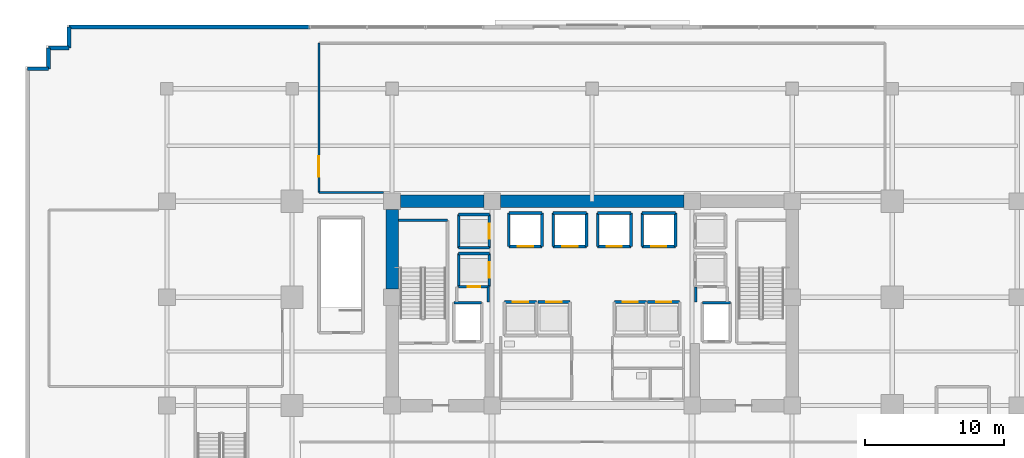
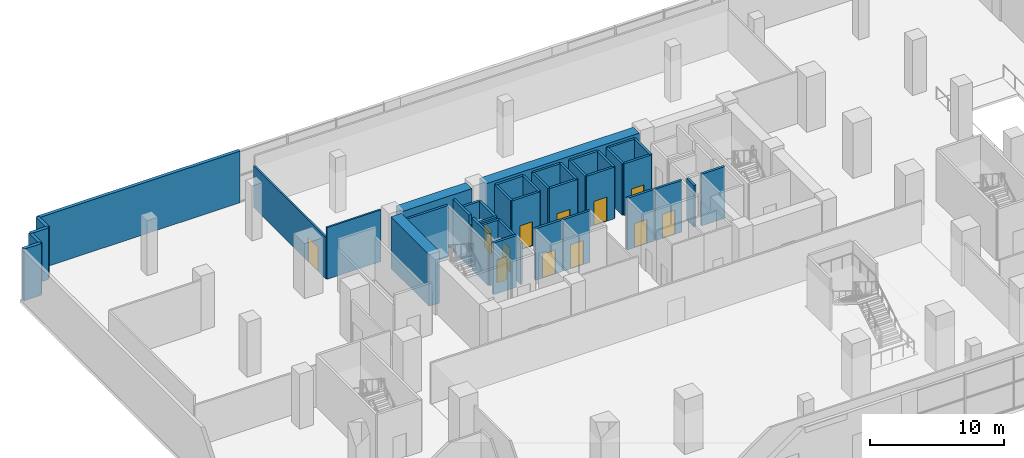
# One storey, part 15 of 27: 43 walls, 12 doors, 12 openings.
"""IFC4 building model written with IfcOpenShell, lengths in metres."""

from ifc_helpers import new_model, si_unit, direction, frame, frame_2d, origin, place, context, subcontext, project, spatial, rectangle, extrude, source, transform, mapped, material, layer, layer_set, type_object, element, fill, save


model = new_model("IFC4")

# Units and contexts
model_context = context("Model", 3, precision=1e-05, world=origin(), true_north=direction((0.0, 1.0)))
body_context = subcontext(model_context, "Body", "Model", "MODEL_VIEW")
ifc_project = project(units=[si_unit("LENGTHUNIT", "METRE"), si_unit("AREAUNIT", "SQUARE_METRE"), si_unit("VOLUMEUNIT", "CUBIC_METRE"), si_unit("PLANEANGLEUNIT", "RADIAN"), si_unit("MASSUNIT", "GRAM", prefix="KILO")], contexts=[model_context])

# Site, building, storey
site_placement = place(None, origin())
site = spatial("IfcSite", under=ifc_project, at=site_placement, CompositionType="ELEMENT")
building_placement = place(site_placement, origin())
building = spatial("IfcBuilding", under=site, at=building_placement, Name="Zarnakvel Exchange Tower", CompositionType="ELEMENT")
storey_placement = place(building_placement, origin())
storey = spatial("IfcBuildingStorey", under=building, at=storey_placement, Name="L00", CompositionType="ELEMENT", Elevation=0.0)

# Walls
ifc_material_1 = material(Name="Concrete C80/95", Category="concrete")
ifc_layer_1 = layer(ifc_material_1, 0.89990234375)
ifc_layer_set_1 = layer_set([ifc_layer_1], Name="Concrete C80/95")
wall_type_1 = type_object("IfcWallType", Name="CW-C1", PredefinedType="SHEAR", material=ifc_layer_set_1)
wall_1_placement = place(storey_placement, frame((-13.800048828125, 13.5, 0.0), z_axis=(0.0, 0.0, 1.0), x_axis=(1.0, 0.0, 0.0)))
element("IfcWall", 1, at=wall_1_placement, inside=storey, type_object=wall_type_1, Name="L00 Rear Core Shear Wall N1 (CW-C1)", PredefinedType="SHEAR", context=body_context, shape_type="SweptSolid", body=[
    extrude(rectangle(XDim=6.0, YDim=0.89990234375, at=frame_2d((3.0, 0.0))), origin(), (0.0, 0.0, 1.0), 4.699951171875),
])
wall_2_placement = place(storey_placement, frame((-6.60009765625, 13.5, 0.0), z_axis=(0.0, 0.0, 1.0), x_axis=(1.0, 0.0, 0.0)))
element("IfcWall", 2, at=wall_2_placement, inside=storey, type_object=wall_type_1, Name="L00 Rear Core Shear Wall N2 (CW-C1)", PredefinedType="SHEAR", context=body_context, shape_type="SweptSolid", body=[
    extrude(rectangle(XDim=13.2001953125, YDim=0.89990234375, at=frame_2d((6.60009765625, 0.0))), origin(), (0.0, 0.0, 1.0), 4.699951171875),
])
wall_3_placement = place(storey_placement, frame((-14.39990234375, 7.199951171875, 0.0), z_axis=(0.0, 0.0, 1.0), x_axis=(0.0, 1.0, 0.0)))
element("IfcWall", 3, at=wall_3_placement, inside=storey, type_object=wall_type_1, Name="L00 Rear Core Shear Wall W2 (CW-C1)", PredefinedType="SHEAR", context=body_context, shape_type="SweptSolid", body=[
    extrude(rectangle(XDim=5.699951171875, YDim=0.89990234375, at=frame_2d((2.85009765625, 0.0))), origin(), (0.0, 0.0, 1.0), 4.699951171875),
])
ifc_material_2 = material(Name="Precast concrete C40/50", Category="concrete")
ifc_layer_2 = layer(ifc_material_2, 0.280029296875)
ifc_layer_set_2 = layer_set([ifc_layer_2], Name="Precast concrete C40/50")
wall_type_2 = type_object("IfcWallType", Name="EW-01", PredefinedType="SOLIDWALL", material=ifc_layer_set_2)
for number, where, z_axis, x_axis, name in (
    (4, (-39.139892578125, 23.0400390625, 0.0), (0.0, 0.0, 1.0), (-1.0, 0.0, 0.0), "L00 Exterior Precast Spandrel Wall EWC-L00-03 (EW-01)"),
    (5, (-39.139892578125, 24.5400390625, 0.0), (0.0, 0.0, 1.0), (0.0, -1.0, 0.0), "L00 Exterior Precast Spandrel Wall EWC-L00-04 (EW-01)"),
    (6, (-37.639892578125, 24.5400390625, 0.0), (0.0, 0.0, 1.0), (-1.0, 0.0, 0.0), "L00 Exterior Precast Spandrel Wall EWC-L00-05 (EW-01)"),
    (7, (-37.639892578125, 26.0400390625, 0.0), (0.0, 0.0, 1.0), (0.0, -1.0, 0.0), "L00 Exterior Precast Spandrel Wall EWC-L00-06 (EW-01)"),
):
    element("IfcWall", number, at=place(storey_placement, frame(where, z_axis=z_axis, x_axis=x_axis)), inside=storey, type_object=wall_type_2, Name=name, PredefinedType="SOLIDWALL", context=body_context, shape_type="SweptSolid", body=[
        extrude(rectangle(XDim=1.5, YDim=0.280029296875, at=frame_2d((0.75, 0.0))), origin(), (0.0, 0.0, 1.0), 4.699951171875),
    ])
wall_4_placement = place(storey_placement, frame((-20.304931640625, 26.0400390625, 0.0), z_axis=(0.0, 0.0, 1.0), x_axis=(-1.0, 0.0, 0.0)))
element("IfcWall", 8, at=wall_4_placement, inside=storey, type_object=wall_type_2, Name="L00 Exterior Precast Spandrel Wall EWC-L00-07 (EW-01)", PredefinedType="SOLIDWALL", context=body_context, shape_type="SweptSolid", body=[
    extrude(rectangle(XDim=17.3349609375, YDim=0.280029296875, at=frame_2d((8.66748046875, 0.0))), origin(), (0.0, 0.0, 1.0), 4.699951171875),
])
ifc_material_3 = material(Name="Fire-Rated Gypsum Stud Partition", Category="gypsum")
ifc_layer_3 = layer(ifc_material_3, 0.14990234375)
ifc_layer_set_3 = layer_set([ifc_layer_3], Name="Fire-Rated Gypsum Stud Partition")
wall_type_3 = type_object("IfcWallType", Name="PT-01", PredefinedType="PARTITIONING", material=ifc_layer_set_3)
wall_5_placement = place(storey_placement, frame((-15.02001953125, 14.1201171875, 0.0), z_axis=(0.0, 0.0, 1.0), x_axis=(-1.0, 0.0, 0.0)))
element("IfcWall", 9, at=wall_5_placement, inside=storey, type_object=wall_type_3, Name="L00 Partition Wall PWALL-L00-056 (PT-01)", PredefinedType="PARTITIONING", context=body_context, shape_type="SweptSolid", body=[
    extrude(rectangle(XDim=4.64990234375, YDim=0.14990234375, at=frame_2d((2.324951171875, 0.0))), origin(), (0.0, 0.0, 1.0), 4.699951171875),
])

# Wall, opening, door
wall_6_placement = place(storey_placement, frame((-19.669921875, 14.1201171875, 0.0), z_axis=(0.0, 0.0, 1.0), x_axis=(0.0, 1.0, 0.0)))
wall_6 = element("IfcWall", 10, at=wall_6_placement, inside=storey, type_object=wall_type_3, Name="L00 Partition Wall PWALL-L00-059 (PT-01)", PredefinedType="PARTITIONING", context=body_context, shape_type="SweptSolid", body=[
    extrude(rectangle(XDim=10.759765625, YDim=0.14990234375, at=frame_2d((5.3798828125, 0.0))), origin(), (0.0, 0.0, 1.0), 3.7900390625),
])
opening_1_placement = place(wall_6_placement, frame((1.1298828125, 0.0, 0.0)))
opening_1 = element("IfcOpeningElement", 11, at=opening_1_placement, cuts=wall_6, Name="Opening D-L00-17", PredefinedType="OPENING", context=body_context, shape_type="SweptSolid", body=[
    extrude(rectangle(XDim=1.5, YDim=2.199951171875, at=frame_2d((0.75, 1.10009765625))), frame((0.0, 0.0849609375, 0.0), z_axis=(0.0, -1.0, 0.0), x_axis=(1.0, 0.0, 0.0)), (0.0, 0.0, 1.0), 0.169921875),
])
ifc_material_4 = material(Name="Timber Acoustic Veneer", Category="wood")
door_type_1 = type_object("IfcDoorType", Name="DT-03", OperationType="NOTDEFINED", PredefinedType="DOOR", material=ifc_material_4)
shared_shape_1 = source(origin(), body_context, "Body", "SweptSolid", [
    extrude(rectangle(XDim=1.5, YDim=2.199951171875, at=frame_2d((0.75, 1.10009765625))), frame((0.0, 0.02490234375, 0.0), z_axis=(0.0, -1.0, 0.0), x_axis=(1.0, 0.0, 0.0)), (0.0, 0.0, 1.0), 0.050048828125),
])
door_1_placement = place(opening_1_placement, origin())
door_1 = element("IfcDoor", 12, at=door_1_placement, inside=storey, type_object=door_type_1, Name="L00 North Drop-Off Reception Concourse Door D-L00-17", OperationType="DOUBLE_DOOR_SINGLE_SWING", OverallHeight=2.199951171875, OverallWidth=1.5, PredefinedType="DOOR", context=body_context, shape_type="MappedRepresentation", body=[
    mapped(shared_shape_1, transform((0.0, 0.0, 0.0), x_axis=(1.0, 0.0, 0.0), y_axis=(0.0, 1.0, 0.0), z_axis=(0.0, 0.0, 1.0), scale=1.0)),
])
fill(opening_1, door_1)

# Walls
ifc_layer_4 = layer(ifc_material_3, 0.179931640625)
ifc_layer_set_4 = layer_set([ifc_layer_4], Name="Fire-Rated Gypsum Stud Partition")
wall_type_4 = type_object("IfcWallType", Name="PT-02", PredefinedType="PARTITIONING", material=ifc_layer_set_4)
for number, where, z_axis, x_axis, name in (
    (13, (-7.469970703125, 7.330078125, 0.0), (0.0, 0.0, 1.0), (0.0, -1.0, 0.0), "L00 Partition Wall PWALL-L00-008 (PT-02)"),
    (14, (7.469970703125, 6.239990234375, 0.0), (0.0, 0.0, 1.0), (0.0, 1.0, 0.0), "L00 Partition Wall PWALL-L00-009 (PT-02)"),
):
    element("IfcWall", number, at=place(storey_placement, frame(where, z_axis=z_axis, x_axis=x_axis)), inside=storey, type_object=wall_type_4, Name=name, PredefinedType="PARTITIONING", context=body_context, shape_type="SweptSolid", body=[
        extrude(rectangle(XDim=1.090087890625, YDim=0.179931640625, at=frame_2d((0.544921875, 0.0))), origin(), (0.0, 0.0, 1.0), 3.7900390625),
    ])
ifc_material_5 = material(Name="Concrete C40/50", Category="concrete")
ifc_layer_5 = layer(ifc_material_5, 0.199951171875)
ifc_layer_set_5 = layer_set([ifc_layer_5], Name="Concrete C40/50")
wall_type_5 = type_object("IfcWallType", Name="SW-01", PredefinedType="SOLIDWALL", material=ifc_layer_set_5)
for number, where, z_axis, x_axis, name in (
    (15, (-9.949951171875, 6.199951171875, 0.0), (0.0, 0.0, 1.0), (1.0, 0.0, 0.0), "L00 FL-01 Hoistway Wall North"),
    (16, (7.949951171875, 6.199951171875, 0.0), (0.0, 0.0, 1.0), (1.0, 0.0, 0.0), "L00 FL-02 Hoistway Wall North"),
):
    element("IfcWall", number, at=place(storey_placement, frame(where, z_axis=z_axis, x_axis=x_axis)), inside=storey, type_object=wall_type_5, Name=name, PredefinedType="SOLIDWALL", context=body_context, shape_type="SweptSolid", body=[
        extrude(rectangle(XDim=2.0, YDim=0.199951171875, at=frame_2d((1.0, 0.0))), origin(), (0.0, 0.0, 1.0), 4.699951171875),
    ])

# Wall, opening, door
wall_7_placement = place(storey_placement, frame((-3.60009765625, 10.25, 0.0), z_axis=(0.0, 0.0, 1.0), x_axis=(-1.0, 0.0, 0.0)))
wall_7 = element("IfcWall", 17, at=wall_7_placement, inside=storey, type_object=wall_type_5, Name="L00 PL-01 Hoistway Wall South", PredefinedType="SOLIDWALL", context=body_context, shape_type="SweptSolid", body=[
    extrude(rectangle(XDim=2.39990234375, YDim=0.199951171875, at=frame_2d((1.199951171875, 0.0))), origin(), (0.0, 0.0, 1.0), 4.699951171875),
])
opening_2_placement = place(wall_7_placement, frame((0.64990234375, 0.0, 0.0)))
opening_2 = element("IfcOpeningElement", 18, at=opening_2_placement, cuts=wall_7, Name="Opening LD-PL-01-L00", PredefinedType="OPENING", context=body_context, shape_type="SweptSolid", body=[
    extrude(rectangle(XDim=1.10009765625, YDim=2.199951171875, at=frame_2d((0.550048828125, 1.10009765625))), frame((0.0, 0.10986328125, 0.0), z_axis=(0.0, -1.0, 0.0), x_axis=(1.0, 0.0, 0.0)), (0.0, 0.0, 1.0), 0.219970703125),
])
ifc_material_6 = material(Name="Architectural Bronze Anodised Aluminium", Category="aluminium")
door_type_2 = type_object("IfcDoorType", Name="LDT-02", OperationType="NOTDEFINED", PredefinedType="DOOR", material=ifc_material_6)
shared_shape_2 = source(origin(), body_context, "Body", "SweptSolid", [
    extrude(rectangle(XDim=1.10009765625, YDim=2.199951171875, at=frame_2d((0.550048828125, 1.10009765625))), frame((0.0, 0.02490234375, 0.0), z_axis=(0.0, -1.0, 0.0), x_axis=(1.0, 0.0, 0.0)), (0.0, 0.0, 1.0), 0.050048828125),
])
door_2_placement = place(opening_2_placement, origin())
door_2 = element("IfcDoor", 19, at=door_2_placement, inside=storey, type_object=door_type_2, Name="L00 PL-01 Lift Landing Door LD-PL-01-L00", OperationType="DOUBLE_DOOR_SLIDING", OverallHeight=2.199951171875, OverallWidth=1.10009765625, PredefinedType="DOOR", context=body_context, shape_type="MappedRepresentation", body=[
    mapped(shared_shape_2, transform((0.0, 0.0, 0.0), x_axis=(1.0, 0.0, 0.0), y_axis=(0.0, 1.0, 0.0), z_axis=(0.0, 0.0, 1.0), scale=1.0)),
])
fill(opening_2, door_2)

# Walls
for number, where, z_axis, x_axis, name in (
    (20, (-6.0, 12.64990234375, 0.0), (0.0, 0.0, 1.0), (1.0, 0.0, 0.0), "L00 PL-01 Hoistway Wall North"),
    (21, (-6.0, 10.25, 0.0), (0.0, 0.0, 1.0), (0.0, 1.0, 0.0), "L00 PL-01 Hoistway Wall West"),
    (22, (-3.60009765625, 12.64990234375, 0.0), (0.0, 0.0, 1.0), (0.0, -1.0, 0.0), "L00 PL-01 Hoistway Wall East"),
):
    element("IfcWall", number, at=place(storey_placement, frame(where, z_axis=z_axis, x_axis=x_axis)), inside=storey, type_object=wall_type_5, Name=name, PredefinedType="SOLIDWALL", context=body_context, shape_type="SweptSolid", body=[
        extrude(rectangle(XDim=2.39990234375, YDim=0.199951171875, at=frame_2d((1.199951171875, 0.0))), origin(), (0.0, 0.0, 1.0), 4.699951171875),
    ])

# Wall, opening, door
wall_8_placement = place(storey_placement, frame((-0.39990234375, 10.25, 0.0), z_axis=(0.0, 0.0, 1.0), x_axis=(-1.0, 0.0, 0.0)))
wall_8 = element("IfcWall", 23, at=wall_8_placement, inside=storey, type_object=wall_type_5, Name="L00 PL-02 Hoistway Wall South", PredefinedType="SOLIDWALL", context=body_context, shape_type="SweptSolid", body=[
    extrude(rectangle(XDim=2.400146484375, YDim=0.199951171875, at=frame_2d((1.2001953125, 0.0))), origin(), (0.0, 0.0, 1.0), 4.699951171875),
])
opening_3_placement = place(wall_8_placement, frame((0.64990234375, 0.0, 0.0)))
opening_3 = element("IfcOpeningElement", 24, at=opening_3_placement, cuts=wall_8, Name="Opening LD-PL-02-L00", PredefinedType="OPENING", context=body_context, shape_type="SweptSolid", body=[
    extrude(rectangle(XDim=1.10009765625, YDim=2.199951171875, at=frame_2d((0.550048828125, 1.10009765625))), frame((0.0, 0.10986328125, 0.0), z_axis=(0.0, -1.0, 0.0), x_axis=(1.0, 0.0, 0.0)), (0.0, 0.0, 1.0), 0.219970703125),
])
door_3_placement = place(opening_3_placement, origin())
door_3 = element("IfcDoor", 25, at=door_3_placement, inside=storey, type_object=door_type_2, Name="L00 PL-02 Lift Landing Door LD-PL-02-L00", OperationType="DOUBLE_DOOR_SLIDING", OverallHeight=2.199951171875, OverallWidth=1.10009765625, PredefinedType="DOOR", context=body_context, shape_type="MappedRepresentation", body=[
    mapped(shared_shape_2, transform((0.0, 0.0, 0.0), x_axis=(1.0, 0.0, 0.0), y_axis=(0.0, 1.0, 0.0), z_axis=(0.0, 0.0, 1.0), scale=1.0)),
])
fill(opening_3, door_3)

# Walls
wall_9_placement = place(storey_placement, frame((-2.800048828125, 12.64990234375, 0.0), z_axis=(0.0, 0.0, 1.0), x_axis=(1.0, 0.0, 0.0)))
element("IfcWall", 26, at=wall_9_placement, inside=storey, type_object=wall_type_5, Name="L00 PL-02 Hoistway Wall North", PredefinedType="SOLIDWALL", context=body_context, shape_type="SweptSolid", body=[
    extrude(rectangle(XDim=2.400146484375, YDim=0.199951171875, at=frame_2d((1.2001953125, 0.0))), origin(), (0.0, 0.0, 1.0), 4.699951171875),
])
for number, where, z_axis, x_axis, name in (
    (27, (-2.800048828125, 10.25, 0.0), (0.0, 0.0, 1.0), (0.0, 1.0, 0.0), "L00 PL-02 Hoistway Wall West"),
    (28, (-0.39990234375, 12.64990234375, 0.0), (0.0, 0.0, 1.0), (0.0, -1.0, 0.0), "L00 PL-02 Hoistway Wall East"),
):
    element("IfcWall", number, at=place(storey_placement, frame(where, z_axis=z_axis, x_axis=x_axis)), inside=storey, type_object=wall_type_5, Name=name, PredefinedType="SOLIDWALL", context=body_context, shape_type="SweptSolid", body=[
        extrude(rectangle(XDim=2.39990234375, YDim=0.199951171875, at=frame_2d((1.199951171875, 0.0))), origin(), (0.0, 0.0, 1.0), 4.699951171875),
    ])

# Wall, opening, door
wall_10_placement = place(storey_placement, frame((2.800048828125, 10.25, 0.0), z_axis=(0.0, 0.0, 1.0), x_axis=(-1.0, 0.0, 0.0)))
wall_10 = element("IfcWall", 29, at=wall_10_placement, inside=storey, type_object=wall_type_5, Name="L00 PL-03 Hoistway Wall South", PredefinedType="SOLIDWALL", context=body_context, shape_type="SweptSolid", body=[
    extrude(rectangle(XDim=2.400146484375, YDim=0.199951171875, at=frame_2d((1.2001953125, 0.0))), origin(), (0.0, 0.0, 1.0), 4.699951171875),
])
opening_4_placement = place(wall_10_placement, frame((0.64990234375, 0.0, 0.0)))
opening_4 = element("IfcOpeningElement", 30, at=opening_4_placement, cuts=wall_10, Name="Opening LD-PL-03-L00", PredefinedType="OPENING", context=body_context, shape_type="SweptSolid", body=[
    extrude(rectangle(XDim=1.10009765625, YDim=2.199951171875, at=frame_2d((0.550048828125, 1.10009765625))), frame((0.0, 0.10986328125, 0.0), z_axis=(0.0, -1.0, 0.0), x_axis=(1.0, 0.0, 0.0)), (0.0, 0.0, 1.0), 0.219970703125),
])
door_4_placement = place(opening_4_placement, origin())
door_4 = element("IfcDoor", 31, at=door_4_placement, inside=storey, type_object=door_type_2, Name="L00 PL-03 Lift Landing Door LD-PL-03-L00", OperationType="DOUBLE_DOOR_SLIDING", OverallHeight=2.199951171875, OverallWidth=1.10009765625, PredefinedType="DOOR", context=body_context, shape_type="MappedRepresentation", body=[
    mapped(shared_shape_2, transform((0.0, 0.0, 0.0), x_axis=(1.0, 0.0, 0.0), y_axis=(0.0, 1.0, 0.0), z_axis=(0.0, 0.0, 1.0), scale=1.0)),
])
fill(opening_4, door_4)

# Walls
wall_11_placement = place(storey_placement, frame((0.39990234375, 12.64990234375, 0.0), z_axis=(0.0, 0.0, 1.0), x_axis=(1.0, 0.0, 0.0)))
element("IfcWall", 32, at=wall_11_placement, inside=storey, type_object=wall_type_5, Name="L00 PL-03 Hoistway Wall North", PredefinedType="SOLIDWALL", context=body_context, shape_type="SweptSolid", body=[
    extrude(rectangle(XDim=2.400146484375, YDim=0.199951171875, at=frame_2d((1.2001953125, 0.0))), origin(), (0.0, 0.0, 1.0), 4.699951171875),
])
for number, where, z_axis, x_axis, name in (
    (33, (0.39990234375, 10.25, 0.0), (0.0, 0.0, 1.0), (0.0, 1.0, 0.0), "L00 PL-03 Hoistway Wall West"),
    (34, (2.800048828125, 12.64990234375, 0.0), (0.0, 0.0, 1.0), (0.0, -1.0, 0.0), "L00 PL-03 Hoistway Wall East"),
):
    element("IfcWall", number, at=place(storey_placement, frame(where, z_axis=z_axis, x_axis=x_axis)), inside=storey, type_object=wall_type_5, Name=name, PredefinedType="SOLIDWALL", context=body_context, shape_type="SweptSolid", body=[
        extrude(rectangle(XDim=2.39990234375, YDim=0.199951171875, at=frame_2d((1.199951171875, 0.0))), origin(), (0.0, 0.0, 1.0), 4.699951171875),
    ])

# Wall, opening, door
wall_12_placement = place(storey_placement, frame((6.0, 10.25, 0.0), z_axis=(0.0, 0.0, 1.0), x_axis=(-1.0, 0.0, 0.0)))
wall_12 = element("IfcWall", 35, at=wall_12_placement, inside=storey, type_object=wall_type_5, Name="L00 PL-04 Hoistway Wall South", PredefinedType="SOLIDWALL", context=body_context, shape_type="SweptSolid", body=[
    extrude(rectangle(XDim=2.39990234375, YDim=0.199951171875, at=frame_2d((1.199951171875, 0.0))), origin(), (0.0, 0.0, 1.0), 4.699951171875),
])
opening_5_placement = place(wall_12_placement, frame((0.64990234375, 0.0, 0.0)))
opening_5 = element("IfcOpeningElement", 36, at=opening_5_placement, cuts=wall_12, Name="Opening LD-PL-04-L00", PredefinedType="OPENING", context=body_context, shape_type="SweptSolid", body=[
    extrude(rectangle(XDim=1.10009765625, YDim=2.199951171875, at=frame_2d((0.550048828125, 1.10009765625))), frame((0.0, 0.10986328125, 0.0), z_axis=(0.0, -1.0, 0.0), x_axis=(1.0, 0.0, 0.0)), (0.0, 0.0, 1.0), 0.219970703125),
])
door_5_placement = place(opening_5_placement, origin())
door_5 = element("IfcDoor", 37, at=door_5_placement, inside=storey, type_object=door_type_2, Name="L00 PL-04 Lift Landing Door LD-PL-04-L00", OperationType="DOUBLE_DOOR_SLIDING", OverallHeight=2.199951171875, OverallWidth=1.10009765625, PredefinedType="DOOR", context=body_context, shape_type="MappedRepresentation", body=[
    mapped(shared_shape_2, transform((0.0, 0.0, 0.0), x_axis=(1.0, 0.0, 0.0), y_axis=(0.0, 1.0, 0.0), z_axis=(0.0, 0.0, 1.0), scale=1.0)),
])
fill(opening_5, door_5)

# Walls
for number, where, z_axis, x_axis, name in (
    (38, (3.60009765625, 12.64990234375, 0.0), (0.0, 0.0, 1.0), (1.0, 0.0, 0.0), "L00 PL-04 Hoistway Wall North"),
    (39, (3.60009765625, 10.25, 0.0), (0.0, 0.0, 1.0), (0.0, 1.0, 0.0), "L00 PL-04 Hoistway Wall West"),
    (40, (6.0, 12.64990234375, 0.0), (0.0, 0.0, 1.0), (0.0, -1.0, 0.0), "L00 PL-04 Hoistway Wall East"),
):
    element("IfcWall", number, at=place(storey_placement, frame(where, z_axis=z_axis, x_axis=x_axis)), inside=storey, type_object=wall_type_5, Name=name, PredefinedType="SOLIDWALL", context=body_context, shape_type="SweptSolid", body=[
        extrude(rectangle(XDim=2.39990234375, YDim=0.199951171875, at=frame_2d((1.199951171875, 0.0))), origin(), (0.0, 0.0, 1.0), 4.699951171875),
    ])

# Wall, opening, door
wall_13_placement = place(storey_placement, frame((-6.300048828125, 6.25, 0.0), z_axis=(0.0, 0.0, 1.0), x_axis=(1.0, 0.0, 0.0)))
wall_13 = element("IfcWall", 41, at=wall_13_placement, inside=storey, type_object=wall_type_5, Name="L00 PL-05 Hoistway Wall North", PredefinedType="SOLIDWALL", context=body_context, shape_type="SweptSolid", body=[
    extrude(rectangle(XDim=2.300048828125, YDim=0.199951171875, at=frame_2d((1.14990234375, 0.0))), origin(), (0.0, 0.0, 1.0), 4.699951171875),
])
opening_6_placement = place(wall_13_placement, frame((0.60009765625, 0.0, 0.0)))
opening_6 = element("IfcOpeningElement", 42, at=opening_6_placement, cuts=wall_13, Name="Opening LD-PL-05-L00", PredefinedType="OPENING", context=body_context, shape_type="SweptSolid", body=[
    extrude(rectangle(XDim=1.10009765625, YDim=2.199951171875, at=frame_2d((0.550048828125, 1.10009765625))), frame((0.0, 0.10986328125, 0.0), z_axis=(0.0, -1.0, 0.0), x_axis=(1.0, 0.0, 0.0)), (0.0, 0.0, 1.0), 0.219970703125),
])
door_6_placement = place(opening_6_placement, origin())
door_6 = element("IfcDoor", 43, at=door_6_placement, inside=storey, type_object=door_type_2, Name="L00 PL-05 Lift Landing Door LD-PL-05-L00", OperationType="DOUBLE_DOOR_SLIDING", OverallHeight=2.199951171875, OverallWidth=1.10009765625, PredefinedType="DOOR", context=body_context, shape_type="MappedRepresentation", body=[
    mapped(shared_shape_2, transform((0.0, 0.0, 0.0), x_axis=(1.0, 0.0, 0.0), y_axis=(0.0, 1.0, 0.0), z_axis=(0.0, 0.0, 1.0), scale=1.0)),
])
fill(opening_6, door_6)

wall_14_placement = place(storey_placement, frame((-3.89990234375, 6.25, 0.0), z_axis=(0.0, 0.0, 1.0), x_axis=(1.0, 0.0, 0.0)))
wall_14 = element("IfcWall", 44, at=wall_14_placement, inside=storey, type_object=wall_type_5, Name="L00 PL-06 Hoistway Wall North", PredefinedType="SOLIDWALL", context=body_context, shape_type="SweptSolid", body=[
    extrude(rectangle(XDim=2.2998046875, YDim=0.199951171875, at=frame_2d((1.14990234375, 0.0))), origin(), (0.0, 0.0, 1.0), 4.699951171875),
])
opening_7_placement = place(wall_14_placement, frame((0.60009765625, 0.0, 0.0)))
opening_7 = element("IfcOpeningElement", 45, at=opening_7_placement, cuts=wall_14, Name="Opening LD-PL-06-L00", PredefinedType="OPENING", context=body_context, shape_type="SweptSolid", body=[
    extrude(rectangle(XDim=1.10009765625, YDim=2.199951171875, at=frame_2d((0.550048828125, 1.10009765625))), frame((0.0, 0.10986328125, 0.0), z_axis=(0.0, -1.0, 0.0), x_axis=(1.0, 0.0, 0.0)), (0.0, 0.0, 1.0), 0.219970703125),
])
door_7_placement = place(opening_7_placement, origin())
door_7 = element("IfcDoor", 46, at=door_7_placement, inside=storey, type_object=door_type_2, Name="L00 PL-06 Lift Landing Door LD-PL-06-L00", OperationType="DOUBLE_DOOR_SLIDING", OverallHeight=2.199951171875, OverallWidth=1.10009765625, PredefinedType="DOOR", context=body_context, shape_type="MappedRepresentation", body=[
    mapped(shared_shape_2, transform((0.0, 0.0, 0.0), x_axis=(1.0, 0.0, 0.0), y_axis=(0.0, 1.0, 0.0), z_axis=(0.0, 0.0, 1.0), scale=1.0)),
])
fill(opening_7, door_7)

wall_15_placement = place(storey_placement, frame((1.60009765625, 6.25, 0.0), z_axis=(0.0, 0.0, 1.0), x_axis=(1.0, 0.0, 0.0)))
wall_15 = element("IfcWall", 47, at=wall_15_placement, inside=storey, type_object=wall_type_5, Name="L00 PL-07 Hoistway Wall North", PredefinedType="SOLIDWALL", context=body_context, shape_type="SweptSolid", body=[
    extrude(rectangle(XDim=2.2998046875, YDim=0.199951171875, at=frame_2d((1.14990234375, 0.0))), origin(), (0.0, 0.0, 1.0), 4.699951171875),
])
opening_8_placement = place(wall_15_placement, frame((0.60009765625, 0.0, 0.0)))
opening_8 = element("IfcOpeningElement", 48, at=opening_8_placement, cuts=wall_15, Name="Opening LD-PL-07-L00", PredefinedType="OPENING", context=body_context, shape_type="SweptSolid", body=[
    extrude(rectangle(XDim=1.10009765625, YDim=2.199951171875, at=frame_2d((0.550048828125, 1.10009765625))), frame((0.0, 0.10986328125, 0.0), z_axis=(0.0, -1.0, 0.0), x_axis=(1.0, 0.0, 0.0)), (0.0, 0.0, 1.0), 0.219970703125),
])
door_8_placement = place(opening_8_placement, origin())
door_8 = element("IfcDoor", 49, at=door_8_placement, inside=storey, type_object=door_type_2, Name="L00 PL-07 Lift Landing Door LD-PL-07-L00", OperationType="DOUBLE_DOOR_SLIDING", OverallHeight=2.199951171875, OverallWidth=1.10009765625, PredefinedType="DOOR", context=body_context, shape_type="MappedRepresentation", body=[
    mapped(shared_shape_2, transform((0.0, 0.0, 0.0), x_axis=(1.0, 0.0, 0.0), y_axis=(0.0, 1.0, 0.0), z_axis=(0.0, 0.0, 1.0), scale=1.0)),
])
fill(opening_8, door_8)

wall_16_placement = place(storey_placement, frame((4.0, 6.25, 0.0), z_axis=(0.0, 0.0, 1.0), x_axis=(1.0, 0.0, 0.0)))
wall_16 = element("IfcWall", 50, at=wall_16_placement, inside=storey, type_object=wall_type_5, Name="L00 PL-08 Hoistway Wall North", PredefinedType="SOLIDWALL", context=body_context, shape_type="SweptSolid", body=[
    extrude(rectangle(XDim=2.300048828125, YDim=0.199951171875, at=frame_2d((1.14990234375, 0.0))), origin(), (0.0, 0.0, 1.0), 4.699951171875),
])
opening_9_placement = place(wall_16_placement, frame((0.60009765625, 0.0, 0.0)))
opening_9 = element("IfcOpeningElement", 51, at=opening_9_placement, cuts=wall_16, Name="Opening LD-PL-08-L00", PredefinedType="OPENING", context=body_context, shape_type="SweptSolid", body=[
    extrude(rectangle(XDim=1.10009765625, YDim=2.199951171875, at=frame_2d((0.550048828125, 1.10009765625))), frame((0.0, 0.10986328125, 0.0), z_axis=(0.0, -1.0, 0.0), x_axis=(1.0, 0.0, 0.0)), (0.0, 0.0, 1.0), 0.219970703125),
])
door_9_placement = place(opening_9_placement, origin())
door_9 = element("IfcDoor", 52, at=door_9_placement, inside=storey, type_object=door_type_2, Name="L00 PL-08 Lift Landing Door LD-PL-08-L00", OperationType="DOUBLE_DOOR_SLIDING", OverallHeight=2.199951171875, OverallWidth=1.10009765625, PredefinedType="DOOR", context=body_context, shape_type="MappedRepresentation", body=[
    mapped(shared_shape_2, transform((0.0, 0.0, 0.0), x_axis=(1.0, 0.0, 0.0), y_axis=(0.0, 1.0, 0.0), z_axis=(0.0, 0.0, 1.0), scale=1.0)),
])
fill(opening_9, door_9)

wall_17_placement = place(storey_placement, frame((-7.39990234375, 7.35009765625, 0.0), z_axis=(0.0, 0.0, 1.0), x_axis=(-1.0, 0.0, 0.0)))
wall_17 = element("IfcWall", 53, at=wall_17_placement, inside=storey, type_object=wall_type_5, Name="L00 PL-09 Hoistway Wall South", PredefinedType="SOLIDWALL", context=body_context, shape_type="SweptSolid", body=[
    extrude(rectangle(XDim=2.2001953125, YDim=0.199951171875, at=frame_2d((1.10009765625, 0.0))), origin(), (0.0, 0.0, 1.0), 3.7900390625),
])
opening_10_placement = place(wall_17_placement, frame((0.659912109375, 0.0, 0.0)))
opening_10 = element("IfcOpeningElement", 54, at=opening_10_placement, cuts=wall_17, Name="Opening D-L00-18", PredefinedType="OPENING", context=body_context, shape_type="SweptSolid", body=[
    extrude(rectangle(XDim=0.8798828125, YDim=2.10009765625, at=frame_2d((0.43994140625, 1.050048828125))), frame((0.0, 0.10986328125, 0.0), z_axis=(0.0, -1.0, 0.0), x_axis=(1.0, 0.0, 0.0)), (0.0, 0.0, 1.0), 0.219970703125),
])
ifc_material_7 = material(Name="Painted Galvanised Steel S355", Category="steel")
door_type_3 = type_object("IfcDoorType", Name="DT-08", OperationType="NOTDEFINED", PredefinedType="DOOR", material=ifc_material_7)
shared_shape_3 = source(origin(), body_context, "Body", "SweptSolid", [
    extrude(rectangle(XDim=0.8798828125, YDim=2.10009765625, at=frame_2d((0.43994140625, 1.050048828125))), frame((0.0, 0.02490234375, 0.0), z_axis=(0.0, -1.0, 0.0), x_axis=(1.0, 0.0, 0.0)), (0.0, 0.0, 1.0), 0.050048828125),
])
door_10_placement = place(opening_10_placement, origin())
door_10 = element("IfcDoor", 55, at=door_10_placement, inside=storey, type_object=door_type_3, Name="L00 Electrical Riser Door D-L00-18", OperationType="SINGLE_SWING_RIGHT", OverallHeight=2.10009765625, OverallWidth=0.8798828125, PredefinedType="DOOR", context=body_context, shape_type="MappedRepresentation", body=[
    mapped(shared_shape_3, transform((0.0, 0.0, 0.0), x_axis=(1.0, 0.0, 0.0), y_axis=(0.0, 1.0, 0.0), z_axis=(0.0, 0.0, 1.0), scale=1.0)),
])
fill(opening_10, door_10)

# Walls
wall_18_placement = place(storey_placement, frame((-9.60009765625, 9.75, 0.0), z_axis=(0.0, 0.0, 1.0), x_axis=(1.0, 0.0, 0.0)))
element("IfcWall", 56, at=wall_18_placement, inside=storey, type_object=wall_type_5, Name="L00 PL-09 Hoistway Wall North", PredefinedType="SOLIDWALL", context=body_context, shape_type="SweptSolid", body=[
    extrude(rectangle(XDim=2.2001953125, YDim=0.199951171875, at=frame_2d((1.10009765625, 0.0))), origin(), (0.0, 0.0, 1.0), 3.7900390625),
])
wall_19_placement = place(storey_placement, frame((-9.60009765625, 7.35009765625, 0.0), z_axis=(0.0, 0.0, 1.0), x_axis=(0.0, 1.0, 0.0)))
element("IfcWall", 57, at=wall_19_placement, inside=storey, type_object=wall_type_5, Name="L00 PL-09 Hoistway Wall West", PredefinedType="SOLIDWALL", context=body_context, shape_type="SweptSolid", body=[
    extrude(rectangle(XDim=2.39990234375, YDim=0.199951171875, at=frame_2d((1.199951171875, 0.0))), origin(), (0.0, 0.0, 1.0), 4.699951171875),
])

# Wall, opening, door
wall_20_placement = place(storey_placement, frame((-7.39990234375, 9.75, 0.0), z_axis=(0.0, 0.0, 1.0), x_axis=(0.0, -1.0, 0.0)))
wall_20 = element("IfcWall", 58, at=wall_20_placement, inside=storey, type_object=wall_type_5, Name="L00 PL-09 Hoistway Wall East", PredefinedType="SOLIDWALL", context=body_context, shape_type="SweptSolid", body=[
    extrude(rectangle(XDim=2.39990234375, YDim=0.199951171875, at=frame_2d((1.199951171875, 0.0))), origin(), (0.0, 0.0, 1.0), 3.7900390625),
])
opening_11_placement = place(wall_20_placement, frame((0.64990234375, 0.0, 0.0)))
opening_11 = element("IfcOpeningElement", 59, at=opening_11_placement, cuts=wall_20, Name="Opening LD-PL-09-L00", PredefinedType="OPENING", context=body_context, shape_type="SweptSolid", body=[
    extrude(rectangle(XDim=1.10009765625, YDim=2.199951171875, at=frame_2d((0.550048828125, 1.10009765625))), frame((0.0, 0.10986328125, 0.0), z_axis=(0.0, -1.0, 0.0), x_axis=(1.0, 0.0, 0.0)), (0.0, 0.0, 1.0), 0.219970703125),
])
door_11_placement = place(opening_11_placement, origin())
door_11 = element("IfcDoor", 60, at=door_11_placement, inside=storey, type_object=door_type_2, Name="L00 PL-09 Lift Landing Door LD-PL-09-L00", OperationType="DOUBLE_DOOR_SLIDING", OverallHeight=2.199951171875, OverallWidth=1.10009765625, PredefinedType="DOOR", context=body_context, shape_type="MappedRepresentation", body=[
    mapped(shared_shape_2, transform((0.0, 0.0, 0.0), x_axis=(1.0, 0.0, 0.0), y_axis=(0.0, 1.0, 0.0), z_axis=(0.0, 0.0, 1.0), scale=1.0)),
])
fill(opening_11, door_11)

# Walls
for number, where, z_axis, x_axis, name in (
    (61, (-7.39990234375, 10.14990234375, 0.0), (0.0, 0.0, 1.0), (-1.0, 0.0, 0.0), "L00 PL-10 Hoistway Wall South"),
    (62, (-9.60009765625, 12.550048828125, 0.0), (0.0, 0.0, 1.0), (1.0, 0.0, 0.0), "L00 PL-10 Hoistway Wall North"),
):
    element("IfcWall", number, at=place(storey_placement, frame(where, z_axis=z_axis, x_axis=x_axis)), inside=storey, type_object=wall_type_5, Name=name, PredefinedType="SOLIDWALL", context=body_context, shape_type="SweptSolid", body=[
        extrude(rectangle(XDim=2.2001953125, YDim=0.199951171875, at=frame_2d((1.10009765625, 0.0))), origin(), (0.0, 0.0, 1.0), 3.7900390625),
    ])
wall_21_placement = place(storey_placement, frame((-9.60009765625, 10.14990234375, 0.0), z_axis=(0.0, 0.0, 1.0), x_axis=(0.0, 1.0, 0.0)))
element("IfcWall", 63, at=wall_21_placement, inside=storey, type_object=wall_type_5, Name="L00 PL-10 Hoistway Wall West", PredefinedType="SOLIDWALL", context=body_context, shape_type="SweptSolid", body=[
    extrude(rectangle(XDim=2.400146484375, YDim=0.199951171875, at=frame_2d((1.2001953125, 0.0))), origin(), (0.0, 0.0, 1.0), 4.699951171875),
])

# Wall, opening, door
wall_22_placement = place(storey_placement, frame((-7.39990234375, 12.550048828125, 0.0), z_axis=(0.0, 0.0, 1.0), x_axis=(0.0, -1.0, 0.0)))
wall_22 = element("IfcWall", 64, at=wall_22_placement, inside=storey, type_object=wall_type_5, Name="L00 PL-10 Hoistway Wall East", PredefinedType="SOLIDWALL", context=body_context, shape_type="SweptSolid", body=[
    extrude(rectangle(XDim=2.400146484375, YDim=0.199951171875, at=frame_2d((1.2001953125, 0.0))), origin(), (0.0, 0.0, 1.0), 3.7900390625),
])
opening_12_placement = place(wall_22_placement, frame((0.64990234375, 0.0, 0.0)))
opening_12 = element("IfcOpeningElement", 65, at=opening_12_placement, cuts=wall_22, Name="Opening LD-PL-10-L00", PredefinedType="OPENING", context=body_context, shape_type="SweptSolid", body=[
    extrude(rectangle(XDim=1.10009765625, YDim=2.199951171875, at=frame_2d((0.550048828125, 1.10009765625))), frame((0.0, 0.10986328125, 0.0), z_axis=(0.0, -1.0, 0.0), x_axis=(1.0, 0.0, 0.0)), (0.0, 0.0, 1.0), 0.219970703125),
])
door_12_placement = place(opening_12_placement, origin())
door_12 = element("IfcDoor", 66, at=door_12_placement, inside=storey, type_object=door_type_2, Name="L00 PL-10 Lift Landing Door LD-PL-10-L00", OperationType="DOUBLE_DOOR_SLIDING", OverallHeight=2.199951171875, OverallWidth=1.10009765625, PredefinedType="DOOR", context=body_context, shape_type="MappedRepresentation", body=[
    mapped(shared_shape_2, transform((0.0, 0.0, 0.0), x_axis=(1.0, 0.0, 0.0), y_axis=(0.0, 1.0, 0.0), z_axis=(0.0, 0.0, 1.0), scale=1.0)),
])
fill(opening_12, door_12)

# Wall
ifc_layer_6 = layer(ifc_material_5, 0.199951171875)
ifc_layer_set_6 = layer_set([ifc_layer_6], Name="Concrete C40/50")
wall_type_6 = type_object("IfcWallType", Name="SW-02", PredefinedType="SOLIDWALL", material=ifc_layer_set_6)
wall_23_placement = place(storey_placement, frame((-13.929931640625, 12.1298828125, 0.0), z_axis=(0.0, 0.0, 1.0), x_axis=(1.0, 0.0, 0.0)))
element("IfcWall", 67, at=wall_23_placement, inside=storey, type_object=wall_type_6, Name="L00 Stairwell Core Wall PWALL-L00-002 (SW-02)", PredefinedType="SOLIDWALL", context=body_context, shape_type="SweptSolid", body=[
    extrude(rectangle(XDim=3.52001953125, YDim=0.199951171875, at=frame_2d((1.760009765625, 0.0))), origin(), (0.0, 0.0, 1.0), 4.699951171875),
])

save(model, "model.ifc")
